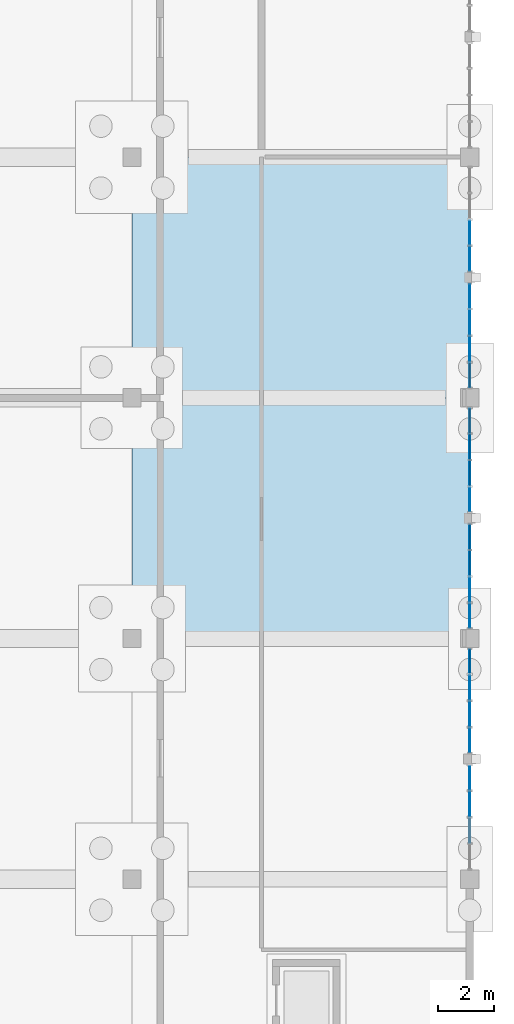
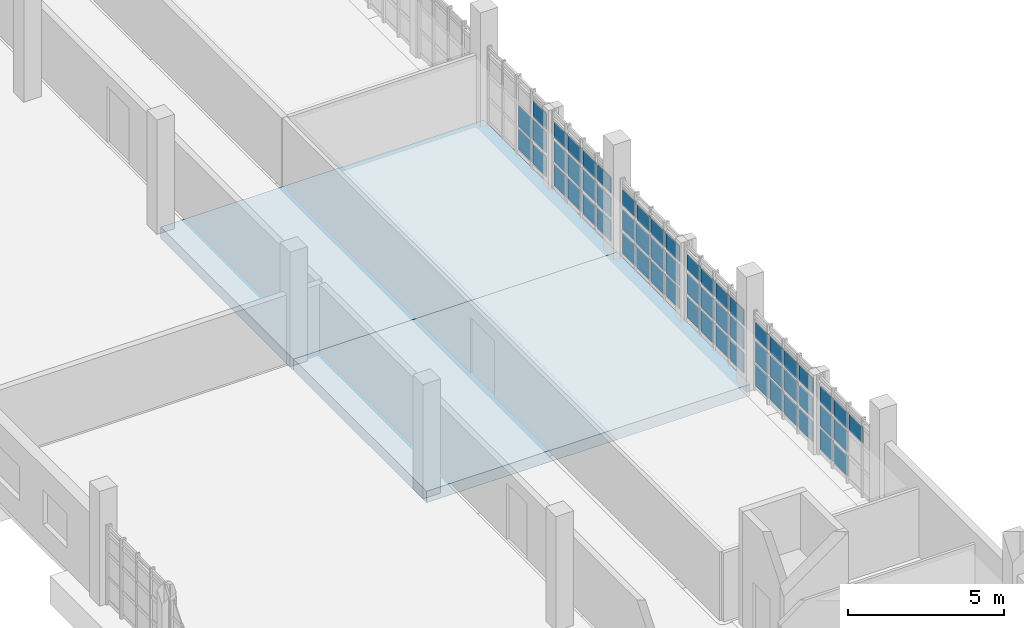
# One storey, part 92 of 125: 60 plates, 2 slabs, 6 elements without a shape of their own.
"""IFC4 building model written with IfcOpenShell, lengths in metres."""

from ifc_helpers import new_model, si_unit, direction, frame, origin, origin_2d, place, context, subcontext, project, spatial, polyline, rectangle, outline, extrude, material, layer, layer_set, type_object, element, aggregate, save


model = new_model("IFC4")

# Units and contexts
model_context = context("Model", 3, precision=1e-05, world=origin(), true_north=direction((0.0, 1.0)))
body_context = subcontext(model_context, "Body", "Model", "MODEL_VIEW")
ifc_project = project(units=[si_unit("LENGTHUNIT", "METRE"), si_unit("AREAUNIT", "SQUARE_METRE"), si_unit("VOLUMEUNIT", "CUBIC_METRE"), si_unit("PLANEANGLEUNIT", "RADIAN"), si_unit("MASSUNIT", "GRAM", prefix="KILO")], contexts=[model_context])

# Site, building, storey
site_placement = place(None, origin())
site = spatial("IfcSite", under=ifc_project, at=site_placement, CompositionType="ELEMENT")
building_placement = place(site_placement, origin())
building = spatial("IfcBuilding", under=site, at=building_placement, Name="Serraforn Aerial Cableway Station", CompositionType="ELEMENT")
storey_placement = place(building_placement, frame((0.0, 0.0, 4.5)))
storey = spatial("IfcBuildingStorey", under=building, at=storey_placement, Name="L01", CompositionType="ELEMENT", Elevation=4.5)

# Curtain wall, plate
ifc_material_1 = material(Name="Anodised bronze unitised curtain wall")
curtain_wall_type_1 = type_object("IfcCurtainWallType", Name="CW-SYS-8", PredefinedType="USERDEFINED", material=ifc_material_1)
curtain_wall_1_placement = place(storey_placement, origin())
curtain_wall_1 = element("IfcCurtainWall", 1, at=curtain_wall_1_placement, inside=storey, type_object=curtain_wall_type_1, Name="Unitised Curtain Wall CW-EG-L01-E3B", ObjectType="UNITISED CURTAIN WALL", PredefinedType="USERDEFINED")
ifc_material_2 = material(Name="Solar-control low-E double glazing", Category="glass")
ifc_layer_1 = layer(ifc_material_2, 0.02587890625)
ifc_layer_set_1 = layer_set([ifc_layer_1], Name="Solar-control low-E double glazing")
plate_type_1 = type_object("IfcPlateType", Name="CW-GLZ-1", PredefinedType="CURTAIN_PANEL", material=ifc_layer_set_1)
plate_1_placement = place(storey_placement, frame((168.0, 67.640380859375, 0.1904296875), z_axis=(0.0, 0.0, 1.0), x_axis=(1.0, 0.0, 0.0)))
plate_1 = element("IfcPlate", 2, at=plate_1_placement, type_object=plate_type_1, Name="Curtain Wall Panel CW-EG-L01-E3B-P1-1", PredefinedType="CURTAIN_PANEL", context=body_context, shape_type="SweptSolid", body=[
    extrude(rectangle(XDim=0.02587890625, YDim=0.8544921875, at=origin_2d()), origin(), (0.0, 0.0, 1.0), 0.797607421875),
])

# Curtain wall, plates
curtain_wall_type_2 = type_object("IfcCurtainWallType", Name="CW-SYS-13", PredefinedType="USERDEFINED", material=ifc_material_1)
curtain_wall_2_placement = place(storey_placement, origin())
curtain_wall_2 = element("IfcCurtainWall", 3, at=curtain_wall_2_placement, inside=storey, type_object=curtain_wall_type_2, Name="Unitised Curtain Wall CW-EG-L01-E5A", ObjectType="UNITISED CURTAIN WALL", PredefinedType="USERDEFINED")
plate_2_placement = place(storey_placement, frame((168.0, 81.5361328125, 2.0498046875), z_axis=(0.0, 0.0, 1.0), x_axis=(1.0, 0.0, 0.0)))
plate_2 = element("IfcPlate", 4, at=plate_2_placement, type_object=plate_type_1, Name="Curtain Wall Panel CW-EG-L01-E5A-P2-3", PredefinedType="CURTAIN_PANEL", context=body_context, shape_type="SweptSolid", body=[
    extrude(rectangle(XDim=0.02587890625, YDim=0.87939453125, at=origin_2d()), origin(), (0.0, 0.0, 1.0), 0.6376953125),
])
plate_3_placement = place(storey_placement, frame((168.0, 82.479248046875, 1.11376953125), z_axis=(0.0, 0.0, 1.0), x_axis=(1.0, 0.0, 0.0)))
plate_3 = element("IfcPlate", 5, at=plate_3_placement, type_object=plate_type_1, Name="Curtain Wall Panel CW-EG-L01-E5A-P3-2", PredefinedType="CURTAIN_PANEL", context=body_context, shape_type="SweptSolid", body=[
    extrude(rectangle(XDim=0.02587890625, YDim=0.87451171875, at=origin_2d()), origin(), (0.0, 0.0, 1.0), 0.824951171875),
])
plate_4_placement = place(storey_placement, frame((168.0, 83.414794921875, 0.177734375), z_axis=(0.0, 0.0, 1.0), x_axis=(1.0, 0.0, 0.0)))
plate_4 = element("IfcPlate", 6, at=plate_4_placement, type_object=plate_type_1, Name="Curtain Wall Panel CW-EG-L01-E5A-P4-1", PredefinedType="CURTAIN_PANEL", context=body_context, shape_type="SweptSolid", body=[
    extrude(rectangle(XDim=0.02587890625, YDim=0.8544921875, at=origin_2d()), origin(), (0.0, 0.0, 1.0), 0.824951171875),
])

curtain_wall_type_3 = type_object("IfcCurtainWallType", Name="CW-SYS-14", PredefinedType="USERDEFINED", material=ifc_material_1)
curtain_wall_3_placement = place(storey_placement, origin())
curtain_wall_3 = element("IfcCurtainWall", 7, at=curtain_wall_3_placement, inside=storey, type_object=curtain_wall_type_3, Name="Unitised Curtain Wall CW-EG-L01-E5B", ObjectType="UNITISED CURTAIN WALL", PredefinedType="USERDEFINED")
plate_5_placement = place(storey_placement, frame((168.0, 84.741455078125, 2.0498046875), z_axis=(0.0, 0.0, 1.0), x_axis=(1.0, 0.0, 0.0)))
plate_5 = element("IfcPlate", 8, at=plate_5_placement, type_object=plate_type_1, Name="Curtain Wall Panel CW-EG-L01-E5B-P1-3", PredefinedType="CURTAIN_PANEL", context=body_context, shape_type="SweptSolid", body=[
    extrude(rectangle(XDim=0.02587890625, YDim=0.846923828125, at=origin_2d()), origin(), (0.0, 0.0, 1.0), 0.6376953125),
])
plate_6_placement = place(storey_placement, frame((168.0, 85.668212890625, 1.11376953125), z_axis=(0.0, 0.0, 1.0), x_axis=(1.0, 0.0, 0.0)))
plate_6 = element("IfcPlate", 9, at=plate_6_placement, type_object=plate_type_1, Name="Curtain Wall Panel CW-EG-L01-E5B-P2-2", PredefinedType="CURTAIN_PANEL", context=body_context, shape_type="SweptSolid", body=[
    extrude(rectangle(XDim=0.02587890625, YDim=0.87451171875, at=origin_2d()), origin(), (0.0, 0.0, 1.0), 0.824951171875),
])

# Curtain wall, plate
curtain_wall_type_4 = type_object("IfcCurtainWallType", Name="CW-SYS-7", PredefinedType="USERDEFINED", material=ifc_material_1)
curtain_wall_4_placement = place(storey_placement, origin())
curtain_wall_4 = element("IfcCurtainWall", 10, at=curtain_wall_4_placement, inside=storey, type_object=curtain_wall_type_4, Name="Unitised Curtain Wall CW-EG-L01-E3A", ObjectType="UNITISED CURTAIN WALL", PredefinedType="USERDEFINED")
ifc_layer_2 = layer(ifc_material_2, 0.028076171875)
ifc_layer_set_2 = layer_set([ifc_layer_2], Name="Solar-control low-E double glazing")
plate_type_2 = type_object("IfcPlateType", Name="CW-GLZ-2", PredefinedType="CURTAIN_PANEL", material=ifc_layer_set_2)
plate_7_placement = place(storey_placement, frame((168.0, 65.379150390625, 0.19775390625), z_axis=(0.0, 0.0, 1.0), x_axis=(1.0, 0.0, 0.0)))
plate_7 = element("IfcPlate", 11, at=plate_7_placement, type_object=plate_type_2, Name="Curtain Wall Panel CW-EG-L01-E3A-P3-1", PredefinedType="CURTAIN_PANEL", context=body_context, shape_type="SweptSolid", body=[
    extrude(rectangle(XDim=0.028076171875, YDim=0.87939453125, at=origin_2d()), origin(), (0.0, 0.0, 1.0), 0.782470703125),
])

# Plate
plate_8_placement = place(storey_placement, frame((168.0, 67.640380859375, 1.1337890625), z_axis=(0.0, 0.0, 1.0), x_axis=(1.0, 0.0, 0.0)))
plate_8 = element("IfcPlate", 12, at=plate_8_placement, type_object=plate_type_2, Name="Curtain Wall Panel CW-EG-L01-E3B-P1-2", PredefinedType="CURTAIN_PANEL", context=body_context, shape_type="SweptSolid", body=[
    extrude(rectangle(XDim=0.028076171875, YDim=0.8544921875, at=origin_2d()), origin(), (0.0, 0.0, 1.0), 0.782470703125),
])

plate_9_placement = place(storey_placement, frame((168.0, 68.568359375, 0.19775390625), z_axis=(0.0, 0.0, 1.0), x_axis=(1.0, 0.0, 0.0)))
plate_9 = element("IfcPlate", 13, at=plate_9_placement, type_object=plate_type_2, Name="Curtain Wall Panel CW-EG-L01-E3B-P2-1", PredefinedType="CURTAIN_PANEL", context=body_context, shape_type="SweptSolid", body=[
    extrude(rectangle(XDim=0.028076171875, YDim=0.87939453125, at=origin_2d()), origin(), (0.0, 0.0, 1.0), 0.782470703125),
])

# Curtain wall, plate
curtain_wall_type_5 = type_object("IfcCurtainWallType", Name="CW-SYS-9", PredefinedType="USERDEFINED", material=ifc_material_1)
curtain_wall_5_placement = place(storey_placement, origin())
curtain_wall_5 = element("IfcCurtainWall", 14, at=curtain_wall_5_placement, inside=storey, type_object=curtain_wall_type_5, Name="Unitised Curtain Wall CW-EG-L01-E4A", ObjectType="UNITISED CURTAIN WALL", PredefinedType="USERDEFINED")
plate_10_placement = place(storey_placement, frame((168.0, 72.0595703125, 0.19775390625), z_axis=(0.0, 0.0, 1.0), x_axis=(1.0, 0.0, 0.0)))
plate_10 = element("IfcPlate", 15, at=plate_10_placement, type_object=plate_type_2, Name="Curtain Wall Panel CW-EG-L01-E4A-P1-1", PredefinedType="CURTAIN_PANEL", context=body_context, shape_type="SweptSolid", body=[
    extrude(rectangle(XDim=0.028076171875, YDim=0.846923828125, at=origin_2d()), origin(), (0.0, 0.0, 1.0), 0.782470703125),
])

# Plate
plate_11_placement = place(storey_placement, frame((168.0, 82.479248046875, 2.0546875), z_axis=(0.0, 0.0, 1.0), x_axis=(1.0, 0.0, 0.0)))
plate_11 = element("IfcPlate", 16, at=plate_11_placement, type_object=plate_type_2, Name="Curtain Wall Panel CW-EG-L01-E5A-P3-3", PredefinedType="CURTAIN_PANEL", context=body_context, shape_type="SweptSolid", body=[
    extrude(rectangle(XDim=0.028076171875, YDim=0.87451171875, at=origin_2d()), origin(), (0.0, 0.0, 1.0), 0.625244140625),
])

plate_12_placement = place(storey_placement, frame((168.0, 83.414794921875, 1.118896484375), z_axis=(0.0, 0.0, 1.0), x_axis=(1.0, 0.0, 0.0)))
plate_12 = element("IfcPlate", 17, at=plate_12_placement, type_object=plate_type_2, Name="Curtain Wall Panel CW-EG-L01-E5A-P4-2", PredefinedType="CURTAIN_PANEL", context=body_context, shape_type="SweptSolid", body=[
    extrude(rectangle(XDim=0.028076171875, YDim=0.8544921875, at=origin_2d()), origin(), (0.0, 0.0, 1.0), 0.8125),
])

ifc_layer_3 = layer(ifc_material_2, 0.030029296875)
ifc_layer_set_3 = layer_set([ifc_layer_3], Name="Solar-control low-E double glazing")
plate_type_3 = type_object("IfcPlateType", Name="CW-GLZ-3", PredefinedType="CURTAIN_PANEL", material=ifc_layer_set_3)
plate_13_placement = place(storey_placement, frame((168.0, 64.436279296875, 2.077392578125), z_axis=(0.0, 0.0, 1.0), x_axis=(1.0, 0.0, 0.0)))
plate_13 = element("IfcPlate", 18, at=plate_13_placement, type_object=plate_type_3, Name="Curtain Wall Panel CW-EG-L01-E3A-P2-3", PredefinedType="CURTAIN_PANEL", context=body_context, shape_type="SweptSolid", body=[
    extrude(rectangle(XDim=0.030029296875, YDim=0.884521484375, at=origin_2d()), origin(), (0.0, 0.0, 1.0), 0.615234375),
])

plate_14_placement = place(storey_placement, frame((168.0, 65.379150390625, 1.14111328125), z_axis=(0.0, 0.0, 1.0), x_axis=(1.0, 0.0, 0.0)))
plate_14 = element("IfcPlate", 19, at=plate_14_placement, type_object=plate_type_3, Name="Curtain Wall Panel CW-EG-L01-E3A-P3-2", PredefinedType="CURTAIN_PANEL", context=body_context, shape_type="SweptSolid", body=[
    extrude(rectangle(XDim=0.030029296875, YDim=0.87939453125, at=origin_2d()), origin(), (0.0, 0.0, 1.0), 0.802490234375),
])

plate_15_placement = place(storey_placement, frame((168.0, 66.303466796875, 0.20556640625), z_axis=(0.0, 0.0, 1.0), x_axis=(1.0, 0.0, 0.0)))
plate_15 = element("IfcPlate", 20, at=plate_15_placement, type_object=plate_type_3, Name="Curtain Wall Panel CW-EG-L01-E3A-P4-1", PredefinedType="CURTAIN_PANEL", context=body_context, shape_type="SweptSolid", body=[
    extrude(rectangle(XDim=0.030029296875, YDim=0.8369140625, at=origin_2d()), origin(), (0.0, 0.0, 1.0), 0.802490234375),
])

plate_16_placement = place(storey_placement, frame((168.0, 67.640380859375, 2.077392578125), z_axis=(0.0, 0.0, 1.0), x_axis=(1.0, 0.0, 0.0)))
plate_16 = element("IfcPlate", 21, at=plate_16_placement, type_object=plate_type_3, Name="Curtain Wall Panel CW-EG-L01-E3B-P1-3", PredefinedType="CURTAIN_PANEL", context=body_context, shape_type="SweptSolid", body=[
    extrude(rectangle(XDim=0.030029296875, YDim=0.8544921875, at=origin_2d()), origin(), (0.0, 0.0, 1.0), 0.615234375),
])

plate_17_placement = place(storey_placement, frame((168.0, 68.568359375, 1.14111328125), z_axis=(0.0, 0.0, 1.0), x_axis=(1.0, 0.0, 0.0)))
plate_17 = element("IfcPlate", 22, at=plate_17_placement, type_object=plate_type_3, Name="Curtain Wall Panel CW-EG-L01-E3B-P2-2", PredefinedType="CURTAIN_PANEL", context=body_context, shape_type="SweptSolid", body=[
    extrude(rectangle(XDim=0.030029296875, YDim=0.87939453125, at=origin_2d()), origin(), (0.0, 0.0, 1.0), 0.802490234375),
])

plate_18_placement = place(storey_placement, frame((168.0, 69.51123046875, 0.20556640625), z_axis=(0.0, 0.0, 1.0), x_axis=(1.0, 0.0, 0.0)))
plate_18 = element("IfcPlate", 23, at=plate_18_placement, type_object=plate_type_3, Name="Curtain Wall Panel CW-EG-L01-E3B-P3-1", PredefinedType="CURTAIN_PANEL", context=body_context, shape_type="SweptSolid", body=[
    extrude(rectangle(XDim=0.030029296875, YDim=0.87451171875, at=origin_2d()), origin(), (0.0, 0.0, 1.0), 0.802490234375),
])

plate_19_placement = place(storey_placement, frame((168.0, 72.0595703125, 1.14111328125), z_axis=(0.0, 0.0, 1.0), x_axis=(1.0, 0.0, 0.0)))
plate_19 = element("IfcPlate", 24, at=plate_19_placement, type_object=plate_type_3, Name="Curtain Wall Panel CW-EG-L01-E4A-P1-2", PredefinedType="CURTAIN_PANEL", context=body_context, shape_type="SweptSolid", body=[
    extrude(rectangle(XDim=0.030029296875, YDim=0.846923828125, at=origin_2d()), origin(), (0.0, 0.0, 1.0), 0.802490234375),
])

plate_20_placement = place(storey_placement, frame((168.0, 72.986083984375, 0.20556640625), z_axis=(0.0, 0.0, 1.0), x_axis=(1.0, 0.0, 0.0)))
plate_20 = element("IfcPlate", 25, at=plate_20_placement, type_object=plate_type_3, Name="Curtain Wall Panel CW-EG-L01-E4A-P2-1", PredefinedType="CURTAIN_PANEL", context=body_context, shape_type="SweptSolid", body=[
    extrude(rectangle(XDim=0.030029296875, YDim=0.87451171875, at=origin_2d()), origin(), (0.0, 0.0, 1.0), 0.802490234375),
])

# Curtain wall, plate
curtain_wall_type_6 = type_object("IfcCurtainWallType", Name="CW-SYS-10", PredefinedType="USERDEFINED", material=ifc_material_1)
curtain_wall_6_placement = place(storey_placement, origin())
curtain_wall_6 = element("IfcCurtainWall", 26, at=curtain_wall_6_placement, inside=storey, type_object=curtain_wall_type_6, Name="Unitised Curtain Wall CW-EG-L01-E4B", ObjectType="UNITISED CURTAIN WALL", PredefinedType="USERDEFINED")
plate_21_placement = place(storey_placement, frame((168.0, 76.19287109375, 0.20556640625), z_axis=(0.0, 0.0, 1.0), x_axis=(1.0, 0.0, 0.0)))
plate_21 = element("IfcPlate", 27, at=plate_21_placement, type_object=plate_type_3, Name="Curtain Wall Panel CW-EG-L01-E4B-P1-1", PredefinedType="CURTAIN_PANEL", context=body_context, shape_type="SweptSolid", body=[
    extrude(rectangle(XDim=0.030029296875, YDim=0.839599609375, at=origin_2d()), origin(), (0.0, 0.0, 1.0), 0.802490234375),
])

# Plate
plate_22_placement = place(storey_placement, frame((168.0, 83.414794921875, 2.062255859375), z_axis=(0.0, 0.0, 1.0), x_axis=(1.0, 0.0, 0.0)))
plate_22 = element("IfcPlate", 28, at=plate_22_placement, type_object=plate_type_3, Name="Curtain Wall Panel CW-EG-L01-E5A-P4-3", PredefinedType="CURTAIN_PANEL", context=body_context, shape_type="SweptSolid", body=[
    extrude(rectangle(XDim=0.030029296875, YDim=0.8544921875, at=origin_2d()), origin(), (0.0, 0.0, 1.0), 0.6103515625),
])

ifc_layer_4 = layer(ifc_material_2, 0.031982421875)
ifc_layer_set_4 = layer_set([ifc_layer_4], Name="Solar-control low-E double glazing")
plate_type_4 = type_object("IfcPlateType", Name="CW-GLZ-4", PredefinedType="CURTAIN_PANEL", material=ifc_layer_set_4)
plate_23_placement = place(storey_placement, frame((168.0, 65.379150390625, 2.0498046875), z_axis=(0.0, 0.0, 1.0), x_axis=(1.0, 0.0, 0.0)))
plate_23 = element("IfcPlate", 29, at=plate_23_placement, type_object=plate_type_4, Name="Curtain Wall Panel CW-EG-L01-E3A-P3-3", PredefinedType="CURTAIN_PANEL", context=body_context, shape_type="SweptSolid", body=[
    extrude(rectangle(XDim=0.031982421875, YDim=0.87939453125, at=origin_2d()), origin(), (0.0, 0.0, 1.0), 0.6376953125),
])

plate_24_placement = place(storey_placement, frame((168.0, 66.303466796875, 1.11376953125), z_axis=(0.0, 0.0, 1.0), x_axis=(1.0, 0.0, 0.0)))
plate_24 = element("IfcPlate", 30, at=plate_24_placement, type_object=plate_type_4, Name="Curtain Wall Panel CW-EG-L01-E3A-P4-2", PredefinedType="CURTAIN_PANEL", context=body_context, shape_type="SweptSolid", body=[
    extrude(rectangle(XDim=0.031982421875, YDim=0.8369140625, at=origin_2d()), origin(), (0.0, 0.0, 1.0), 0.824951171875),
])

plate_25_placement = place(storey_placement, frame((168.0, 68.568359375, 2.0498046875), z_axis=(0.0, 0.0, 1.0), x_axis=(1.0, 0.0, 0.0)))
plate_25 = element("IfcPlate", 31, at=plate_25_placement, type_object=plate_type_4, Name="Curtain Wall Panel CW-EG-L01-E3B-P2-3", PredefinedType="CURTAIN_PANEL", context=body_context, shape_type="SweptSolid", body=[
    extrude(rectangle(XDim=0.031982421875, YDim=0.87939453125, at=origin_2d()), origin(), (0.0, 0.0, 1.0), 0.6376953125),
])

plate_26_placement = place(storey_placement, frame((168.0, 69.51123046875, 1.11376953125), z_axis=(0.0, 0.0, 1.0), x_axis=(1.0, 0.0, 0.0)))
plate_26 = element("IfcPlate", 32, at=plate_26_placement, type_object=plate_type_4, Name="Curtain Wall Panel CW-EG-L01-E3B-P3-2", PredefinedType="CURTAIN_PANEL", context=body_context, shape_type="SweptSolid", body=[
    extrude(rectangle(XDim=0.031982421875, YDim=0.87451171875, at=origin_2d()), origin(), (0.0, 0.0, 1.0), 0.824951171875),
])

plate_27_placement = place(storey_placement, frame((168.0, 70.44677734375, 0.177734375), z_axis=(0.0, 0.0, 1.0), x_axis=(1.0, 0.0, 0.0)))
plate_27 = element("IfcPlate", 33, at=plate_27_placement, type_object=plate_type_4, Name="Curtain Wall Panel CW-EG-L01-E3B-P4-1", PredefinedType="CURTAIN_PANEL", context=body_context, shape_type="SweptSolid", body=[
    extrude(rectangle(XDim=0.031982421875, YDim=0.8544921875, at=origin_2d()), origin(), (0.0, 0.0, 1.0), 0.824951171875),
])

plate_28_placement = place(storey_placement, frame((168.0, 72.0595703125, 2.0498046875), z_axis=(0.0, 0.0, 1.0), x_axis=(1.0, 0.0, 0.0)))
plate_28 = element("IfcPlate", 34, at=plate_28_placement, type_object=plate_type_4, Name="Curtain Wall Panel CW-EG-L01-E4A-P1-3", PredefinedType="CURTAIN_PANEL", context=body_context, shape_type="SweptSolid", body=[
    extrude(rectangle(XDim=0.031982421875, YDim=0.846923828125, at=origin_2d()), origin(), (0.0, 0.0, 1.0), 0.6376953125),
])

plate_29_placement = place(storey_placement, frame((168.0, 72.986083984375, 1.11376953125), z_axis=(0.0, 0.0, 1.0), x_axis=(1.0, 0.0, 0.0)))
plate_29 = element("IfcPlate", 35, at=plate_29_placement, type_object=plate_type_4, Name="Curtain Wall Panel CW-EG-L01-E4A-P2-2", PredefinedType="CURTAIN_PANEL", context=body_context, shape_type="SweptSolid", body=[
    extrude(rectangle(XDim=0.031982421875, YDim=0.87451171875, at=origin_2d()), origin(), (0.0, 0.0, 1.0), 0.824951171875),
])

plate_30_placement = place(storey_placement, frame((168.0, 73.935546875, 0.177734375), z_axis=(0.0, 0.0, 1.0), x_axis=(1.0, 0.0, 0.0)))
plate_30 = element("IfcPlate", 36, at=plate_30_placement, type_object=plate_type_4, Name="Curtain Wall Panel CW-EG-L01-E4A-P3-1", PredefinedType="CURTAIN_PANEL", context=body_context, shape_type="SweptSolid", body=[
    extrude(rectangle(XDim=0.031982421875, YDim=0.882080078125, at=origin_2d()), origin(), (0.0, 0.0, 1.0), 0.824951171875),
])

plate_31_placement = place(storey_placement, frame((168.0, 76.19287109375, 1.11376953125), z_axis=(0.0, 0.0, 1.0), x_axis=(1.0, 0.0, 0.0)))
plate_31 = element("IfcPlate", 37, at=plate_31_placement, type_object=plate_type_4, Name="Curtain Wall Panel CW-EG-L01-E4B-P1-2", PredefinedType="CURTAIN_PANEL", context=body_context, shape_type="SweptSolid", body=[
    extrude(rectangle(XDim=0.031982421875, YDim=0.839599609375, at=origin_2d()), origin(), (0.0, 0.0, 1.0), 0.824951171875),
])

plate_32_placement = place(storey_placement, frame((168.0, 77.12451171875, 0.177734375), z_axis=(0.0, 0.0, 1.0), x_axis=(1.0, 0.0, 0.0)))
plate_32 = element("IfcPlate", 38, at=plate_32_placement, type_object=plate_type_4, Name="Curtain Wall Panel CW-EG-L01-E4B-P2-1", PredefinedType="CURTAIN_PANEL", context=body_context, shape_type="SweptSolid", body=[
    extrude(rectangle(XDim=0.031982421875, YDim=0.882080078125, at=origin_2d()), origin(), (0.0, 0.0, 1.0), 0.824951171875),
])

ifc_layer_5 = layer(ifc_material_2, 0.033935546875)
ifc_layer_set_5 = layer_set([ifc_layer_5], Name="Solar-control low-E double glazing")
plate_type_5 = type_object("IfcPlateType", Name="CW-GLZ-5", PredefinedType="CURTAIN_PANEL", material=ifc_layer_set_5)
plate_33_placement = place(storey_placement, frame((168.0, 66.303466796875, 2.0546875), z_axis=(0.0, 0.0, 1.0), x_axis=(1.0, 0.0, 0.0)))
plate_33 = element("IfcPlate", 39, at=plate_33_placement, type_object=plate_type_5, Name="Curtain Wall Panel CW-EG-L01-E3A-P4-3", PredefinedType="CURTAIN_PANEL", context=body_context, shape_type="SweptSolid", body=[
    extrude(rectangle(XDim=0.033935546875, YDim=0.8369140625, at=origin_2d()), origin(), (0.0, 0.0, 1.0), 0.625244140625),
])

aggregate(curtain_wall_4, [plate_13, plate_7, plate_14, plate_23, plate_15, plate_24, plate_33])

plate_34_placement = place(storey_placement, frame((168.0, 69.51123046875, 2.0546875), z_axis=(0.0, 0.0, 1.0), x_axis=(1.0, 0.0, 0.0)))
plate_34 = element("IfcPlate", 40, at=plate_34_placement, type_object=plate_type_5, Name="Curtain Wall Panel CW-EG-L01-E3B-P3-3", PredefinedType="CURTAIN_PANEL", context=body_context, shape_type="SweptSolid", body=[
    extrude(rectangle(XDim=0.033935546875, YDim=0.87451171875, at=origin_2d()), origin(), (0.0, 0.0, 1.0), 0.625244140625),
])

plate_35_placement = place(storey_placement, frame((168.0, 70.44677734375, 1.118896484375), z_axis=(0.0, 0.0, 1.0), x_axis=(1.0, 0.0, 0.0)))
plate_35 = element("IfcPlate", 41, at=plate_35_placement, type_object=plate_type_5, Name="Curtain Wall Panel CW-EG-L01-E3B-P4-2", PredefinedType="CURTAIN_PANEL", context=body_context, shape_type="SweptSolid", body=[
    extrude(rectangle(XDim=0.033935546875, YDim=0.8544921875, at=origin_2d()), origin(), (0.0, 0.0, 1.0), 0.8125),
])

plate_36_placement = place(storey_placement, frame((168.0, 72.986083984375, 2.0546875), z_axis=(0.0, 0.0, 1.0), x_axis=(1.0, 0.0, 0.0)))
plate_36 = element("IfcPlate", 42, at=plate_36_placement, type_object=plate_type_5, Name="Curtain Wall Panel CW-EG-L01-E4A-P2-3", PredefinedType="CURTAIN_PANEL", context=body_context, shape_type="SweptSolid", body=[
    extrude(rectangle(XDim=0.033935546875, YDim=0.87451171875, at=origin_2d()), origin(), (0.0, 0.0, 1.0), 0.625244140625),
])

plate_37_placement = place(storey_placement, frame((168.0, 73.935546875, 1.118896484375), z_axis=(0.0, 0.0, 1.0), x_axis=(1.0, 0.0, 0.0)))
plate_37 = element("IfcPlate", 43, at=plate_37_placement, type_object=plate_type_5, Name="Curtain Wall Panel CW-EG-L01-E4A-P3-2", PredefinedType="CURTAIN_PANEL", context=body_context, shape_type="SweptSolid", body=[
    extrude(rectangle(XDim=0.033935546875, YDim=0.882080078125, at=origin_2d()), origin(), (0.0, 0.0, 1.0), 0.8125),
])

plate_38_placement = place(storey_placement, frame((168.0, 74.857177734375, 0.182861328125), z_axis=(0.0, 0.0, 1.0), x_axis=(1.0, 0.0, 0.0)))
plate_38 = element("IfcPlate", 44, at=plate_38_placement, type_object=plate_type_5, Name="Curtain Wall Panel CW-EG-L01-E4A-P4-1", PredefinedType="CURTAIN_PANEL", context=body_context, shape_type="SweptSolid", body=[
    extrude(rectangle(XDim=0.033935546875, YDim=0.859619140625, at=origin_2d()), origin(), (0.0, 0.0, 1.0), 0.8125),
])

plate_39_placement = place(storey_placement, frame((168.0, 76.19287109375, 2.0546875), z_axis=(0.0, 0.0, 1.0), x_axis=(1.0, 0.0, 0.0)))
plate_39 = element("IfcPlate", 45, at=plate_39_placement, type_object=plate_type_5, Name="Curtain Wall Panel CW-EG-L01-E4B-P1-3", PredefinedType="CURTAIN_PANEL", context=body_context, shape_type="SweptSolid", body=[
    extrude(rectangle(XDim=0.033935546875, YDim=0.839599609375, at=origin_2d()), origin(), (0.0, 0.0, 1.0), 0.625244140625),
])

plate_40_placement = place(storey_placement, frame((168.0, 77.12451171875, 1.118896484375), z_axis=(0.0, 0.0, 1.0), x_axis=(1.0, 0.0, 0.0)))
plate_40 = element("IfcPlate", 46, at=plate_40_placement, type_object=plate_type_5, Name="Curtain Wall Panel CW-EG-L01-E4B-P2-2", PredefinedType="CURTAIN_PANEL", context=body_context, shape_type="SweptSolid", body=[
    extrude(rectangle(XDim=0.033935546875, YDim=0.882080078125, at=origin_2d()), origin(), (0.0, 0.0, 1.0), 0.8125),
])

plate_41_placement = place(storey_placement, frame((168.0, 78.061279296875, 0.182861328125), z_axis=(0.0, 0.0, 1.0), x_axis=(1.0, 0.0, 0.0)))
plate_41 = element("IfcPlate", 47, at=plate_41_placement, type_object=plate_type_5, Name="Curtain Wall Panel CW-EG-L01-E4B-P3-1", PredefinedType="CURTAIN_PANEL", context=body_context, shape_type="SweptSolid", body=[
    extrude(rectangle(XDim=0.033935546875, YDim=0.889404296875, at=origin_2d()), origin(), (0.0, 0.0, 1.0), 0.8125),
])

ifc_layer_6 = layer(ifc_material_2, 0.035888671875)
ifc_layer_set_6 = layer_set([ifc_layer_6], Name="Solar-control low-E double glazing")
plate_type_6 = type_object("IfcPlateType", Name="CW-GLZ-6", PredefinedType="CURTAIN_PANEL", material=ifc_layer_set_6)
plate_42_placement = place(storey_placement, frame((168.0, 70.44677734375, 2.062255859375), z_axis=(0.0, 0.0, 1.0), x_axis=(1.0, 0.0, 0.0)))
plate_42 = element("IfcPlate", 48, at=plate_42_placement, type_object=plate_type_6, Name="Curtain Wall Panel CW-EG-L01-E3B-P4-3", PredefinedType="CURTAIN_PANEL", context=body_context, shape_type="SweptSolid", body=[
    extrude(rectangle(XDim=0.035888671875, YDim=0.8544921875, at=origin_2d()), origin(), (0.0, 0.0, 1.0), 0.6103515625),
])

aggregate(curtain_wall_1, [plate_1, plate_8, plate_16, plate_9, plate_17, plate_25, plate_18, plate_26, plate_34, plate_27, plate_35, plate_42])

plate_43_placement = place(storey_placement, frame((168.0, 73.935546875, 2.062255859375), z_axis=(0.0, 0.0, 1.0), x_axis=(1.0, 0.0, 0.0)))
plate_43 = element("IfcPlate", 49, at=plate_43_placement, type_object=plate_type_6, Name="Curtain Wall Panel CW-EG-L01-E4A-P3-3", PredefinedType="CURTAIN_PANEL", context=body_context, shape_type="SweptSolid", body=[
    extrude(rectangle(XDim=0.035888671875, YDim=0.882080078125, at=origin_2d()), origin(), (0.0, 0.0, 1.0), 0.6103515625),
])

plate_44_placement = place(storey_placement, frame((168.0, 74.857177734375, 1.12646484375), z_axis=(0.0, 0.0, 1.0), x_axis=(1.0, 0.0, 0.0)))
plate_44 = element("IfcPlate", 50, at=plate_44_placement, type_object=plate_type_6, Name="Curtain Wall Panel CW-EG-L01-E4A-P4-2", PredefinedType="CURTAIN_PANEL", context=body_context, shape_type="SweptSolid", body=[
    extrude(rectangle(XDim=0.035888671875, YDim=0.859619140625, at=origin_2d()), origin(), (0.0, 0.0, 1.0), 0.797607421875),
])

plate_45_placement = place(storey_placement, frame((168.0, 77.12451171875, 2.062255859375), z_axis=(0.0, 0.0, 1.0), x_axis=(1.0, 0.0, 0.0)))
plate_45 = element("IfcPlate", 51, at=plate_45_placement, type_object=plate_type_6, Name="Curtain Wall Panel CW-EG-L01-E4B-P2-3", PredefinedType="CURTAIN_PANEL", context=body_context, shape_type="SweptSolid", body=[
    extrude(rectangle(XDim=0.035888671875, YDim=0.882080078125, at=origin_2d()), origin(), (0.0, 0.0, 1.0), 0.6103515625),
])

plate_46_placement = place(storey_placement, frame((168.0, 78.061279296875, 1.12646484375), z_axis=(0.0, 0.0, 1.0), x_axis=(1.0, 0.0, 0.0)))
plate_46 = element("IfcPlate", 52, at=plate_46_placement, type_object=plate_type_6, Name="Curtain Wall Panel CW-EG-L01-E4B-P3-2", PredefinedType="CURTAIN_PANEL", context=body_context, shape_type="SweptSolid", body=[
    extrude(rectangle(XDim=0.035888671875, YDim=0.889404296875, at=origin_2d()), origin(), (0.0, 0.0, 1.0), 0.797607421875),
])

plate_47_placement = place(storey_placement, frame((168.0, 78.988037109375, 0.1904296875), z_axis=(0.0, 0.0, 1.0), x_axis=(1.0, 0.0, 0.0)))
plate_47 = element("IfcPlate", 53, at=plate_47_placement, type_object=plate_type_6, Name="Curtain Wall Panel CW-EG-L01-E4B-P4-1", PredefinedType="CURTAIN_PANEL", context=body_context, shape_type="SweptSolid", body=[
    extrude(rectangle(XDim=0.035888671875, YDim=0.85205078125, at=origin_2d()), origin(), (0.0, 0.0, 1.0), 0.797607421875),
])

plate_48_placement = place(storey_placement, frame((168.0, 80.608154296875, 0.1904296875), z_axis=(0.0, 0.0, 1.0), x_axis=(1.0, 0.0, 0.0)))
plate_48 = element("IfcPlate", 54, at=plate_48_placement, type_object=plate_type_6, Name="Curtain Wall Panel CW-EG-L01-E5A-P1-1", PredefinedType="CURTAIN_PANEL", context=body_context, shape_type="SweptSolid", body=[
    extrude(rectangle(XDim=0.035888671875, YDim=0.8544921875, at=origin_2d()), origin(), (0.0, 0.0, 1.0), 0.797607421875),
])

ifc_layer_7 = layer(ifc_material_2, 0.029052734375)
ifc_layer_set_7 = layer_set([ifc_layer_7], Name="Solar-control low-E double glazing")
plate_type_7 = type_object("IfcPlateType", Name="CW-GLZ-7", PredefinedType="CURTAIN_PANEL", material=ifc_layer_set_7)
plate_49_placement = place(storey_placement, frame((168.0, 74.857177734375, 2.06982421875), z_axis=(0.0, 0.0, 1.0), x_axis=(1.0, 0.0, 0.0)))
plate_49 = element("IfcPlate", 55, at=plate_49_placement, type_object=plate_type_7, Name="Curtain Wall Panel CW-EG-L01-E4A-P4-3", PredefinedType="CURTAIN_PANEL", context=body_context, shape_type="SweptSolid", body=[
    extrude(rectangle(XDim=0.029052734375, YDim=0.859619140625, at=origin_2d()), origin(), (0.0, 0.0, 1.0), 0.59521484375),
])

aggregate(curtain_wall_5, [plate_10, plate_19, plate_28, plate_20, plate_29, plate_36, plate_30, plate_37, plate_43, plate_38, plate_44, plate_49])

plate_50_placement = place(storey_placement, frame((168.0, 78.061279296875, 2.06982421875), z_axis=(0.0, 0.0, 1.0), x_axis=(1.0, 0.0, 0.0)))
plate_50 = element("IfcPlate", 56, at=plate_50_placement, type_object=plate_type_7, Name="Curtain Wall Panel CW-EG-L01-E4B-P3-3", PredefinedType="CURTAIN_PANEL", context=body_context, shape_type="SweptSolid", body=[
    extrude(rectangle(XDim=0.029052734375, YDim=0.889404296875, at=origin_2d()), origin(), (0.0, 0.0, 1.0), 0.59521484375),
])

plate_51_placement = place(storey_placement, frame((168.0, 78.988037109375, 1.1337890625), z_axis=(0.0, 0.0, 1.0), x_axis=(1.0, 0.0, 0.0)))
plate_51 = element("IfcPlate", 57, at=plate_51_placement, type_object=plate_type_7, Name="Curtain Wall Panel CW-EG-L01-E4B-P4-2", PredefinedType="CURTAIN_PANEL", context=body_context, shape_type="SweptSolid", body=[
    extrude(rectangle(XDim=0.029052734375, YDim=0.85205078125, at=origin_2d()), origin(), (0.0, 0.0, 1.0), 0.782470703125),
])

plate_52_placement = place(storey_placement, frame((168.0, 80.608154296875, 1.1337890625), z_axis=(0.0, 0.0, 1.0), x_axis=(1.0, 0.0, 0.0)))
plate_52 = element("IfcPlate", 58, at=plate_52_placement, type_object=plate_type_7, Name="Curtain Wall Panel CW-EG-L01-E5A-P1-2", PredefinedType="CURTAIN_PANEL", context=body_context, shape_type="SweptSolid", body=[
    extrude(rectangle(XDim=0.029052734375, YDim=0.8544921875, at=origin_2d()), origin(), (0.0, 0.0, 1.0), 0.782470703125),
])

plate_53_placement = place(storey_placement, frame((168.0, 81.5361328125, 0.19775390625), z_axis=(0.0, 0.0, 1.0), x_axis=(1.0, 0.0, 0.0)))
plate_53 = element("IfcPlate", 59, at=plate_53_placement, type_object=plate_type_7, Name="Curtain Wall Panel CW-EG-L01-E5A-P2-1", PredefinedType="CURTAIN_PANEL", context=body_context, shape_type="SweptSolid", body=[
    extrude(rectangle(XDim=0.029052734375, YDim=0.87939453125, at=origin_2d()), origin(), (0.0, 0.0, 1.0), 0.782470703125),
])

plate_54_placement = place(storey_placement, frame((168.0, 84.741455078125, 0.19775390625), z_axis=(0.0, 0.0, 1.0), x_axis=(1.0, 0.0, 0.0)))
plate_54 = element("IfcPlate", 60, at=plate_54_placement, type_object=plate_type_7, Name="Curtain Wall Panel CW-EG-L01-E5B-P1-1", PredefinedType="CURTAIN_PANEL", context=body_context, shape_type="SweptSolid", body=[
    extrude(rectangle(XDim=0.029052734375, YDim=0.846923828125, at=origin_2d()), origin(), (0.0, 0.0, 1.0), 0.782470703125),
])

ifc_layer_8 = layer(ifc_material_2, 0.031005859375)
ifc_layer_set_8 = layer_set([ifc_layer_8], Name="Solar-control low-E double glazing")
plate_type_8 = type_object("IfcPlateType", Name="CW-GLZ-8", PredefinedType="CURTAIN_PANEL", material=ifc_layer_set_8)
plate_55_placement = place(storey_placement, frame((168.0, 78.988037109375, 2.077392578125), z_axis=(0.0, 0.0, 1.0), x_axis=(1.0, 0.0, 0.0)))
plate_55 = element("IfcPlate", 61, at=plate_55_placement, type_object=plate_type_8, Name="Curtain Wall Panel CW-EG-L01-E4B-P4-3", PredefinedType="CURTAIN_PANEL", context=body_context, shape_type="SweptSolid", body=[
    extrude(rectangle(XDim=0.031005859375, YDim=0.85205078125, at=origin_2d()), origin(), (0.0, 0.0, 1.0), 0.615234375),
])

aggregate(curtain_wall_6, [plate_21, plate_31, plate_39, plate_32, plate_40, plate_45, plate_41, plate_46, plate_50, plate_47, plate_51, plate_55])

plate_56_placement = place(storey_placement, frame((168.0, 80.608154296875, 2.077392578125), z_axis=(0.0, 0.0, 1.0), x_axis=(1.0, 0.0, 0.0)))
plate_56 = element("IfcPlate", 62, at=plate_56_placement, type_object=plate_type_8, Name="Curtain Wall Panel CW-EG-L01-E5A-P1-3", PredefinedType="CURTAIN_PANEL", context=body_context, shape_type="SweptSolid", body=[
    extrude(rectangle(XDim=0.031005859375, YDim=0.8544921875, at=origin_2d()), origin(), (0.0, 0.0, 1.0), 0.615234375),
])

plate_57_placement = place(storey_placement, frame((168.0, 81.5361328125, 1.14111328125), z_axis=(0.0, 0.0, 1.0), x_axis=(1.0, 0.0, 0.0)))
plate_57 = element("IfcPlate", 63, at=plate_57_placement, type_object=plate_type_8, Name="Curtain Wall Panel CW-EG-L01-E5A-P2-2", PredefinedType="CURTAIN_PANEL", context=body_context, shape_type="SweptSolid", body=[
    extrude(rectangle(XDim=0.031005859375, YDim=0.87939453125, at=origin_2d()), origin(), (0.0, 0.0, 1.0), 0.802490234375),
])

plate_58_placement = place(storey_placement, frame((168.0, 82.479248046875, 0.20556640625), z_axis=(0.0, 0.0, 1.0), x_axis=(1.0, 0.0, 0.0)))
plate_58 = element("IfcPlate", 64, at=plate_58_placement, type_object=plate_type_8, Name="Curtain Wall Panel CW-EG-L01-E5A-P3-1", PredefinedType="CURTAIN_PANEL", context=body_context, shape_type="SweptSolid", body=[
    extrude(rectangle(XDim=0.031005859375, YDim=0.87451171875, at=origin_2d()), origin(), (0.0, 0.0, 1.0), 0.802490234375),
])

aggregate(curtain_wall_2, [plate_48, plate_52, plate_56, plate_53, plate_57, plate_2, plate_58, plate_3, plate_11, plate_4, plate_12, plate_22])

plate_59_placement = place(storey_placement, frame((168.0, 84.741455078125, 1.14111328125), z_axis=(0.0, 0.0, 1.0), x_axis=(1.0, 0.0, 0.0)))
plate_59 = element("IfcPlate", 65, at=plate_59_placement, type_object=plate_type_8, Name="Curtain Wall Panel CW-EG-L01-E5B-P1-2", PredefinedType="CURTAIN_PANEL", context=body_context, shape_type="SweptSolid", body=[
    extrude(rectangle(XDim=0.031005859375, YDim=0.846923828125, at=origin_2d()), origin(), (0.0, 0.0, 1.0), 0.802490234375),
])

plate_60_placement = place(storey_placement, frame((168.0, 85.668212890625, 0.20556640625), z_axis=(0.0, 0.0, 1.0), x_axis=(1.0, 0.0, 0.0)))
plate_60 = element("IfcPlate", 66, at=plate_60_placement, type_object=plate_type_8, Name="Curtain Wall Panel CW-EG-L01-E5B-P2-1", PredefinedType="CURTAIN_PANEL", context=body_context, shape_type="SweptSolid", body=[
    extrude(rectangle(XDim=0.031005859375, YDim=0.87451171875, at=origin_2d()), origin(), (0.0, 0.0, 1.0), 0.802490234375),
])

aggregate(curtain_wall_3, [plate_54, plate_59, plate_5, plate_60, plate_6])

# Slabs
ifc_material_3 = material(Name="Concrete C40/50", Category="concrete")
ifc_layer_9 = layer(ifc_material_3, 0.449951171875)
ifc_layer_set_9 = layer_set([ifc_layer_9], Name="Concrete C40/50")
slab_type = type_object("IfcSlabType", Name="SLB-BASE-450", PredefinedType="BASESLAB", material=ifc_layer_set_9)
slab_1_placement = place(storey_placement, frame((0.0, 0.0, -0.449951171875)))
element("IfcSlab", 67, at=slab_1_placement, inside=storey, type_object=slab_type, Name="Floor Slab EG-L01-2-4", PredefinedType="BASESLAB", context=body_context, shape_type="SweptSolid", body=[
    extrude(outline(polyline([(156.0, 71.25), (168.0, 71.25), (168.0, 79.800048828125), (156.0, 79.800048828125), (156.0, 71.25)])), origin(), (0.0, 0.0, 1.0), 0.449951171875),
])
slab_2_placement = place(storey_placement, frame((0.0, 0.0, -0.449951171875)))
element("IfcSlab", 68, at=slab_2_placement, inside=storey, type_object=slab_type, Name="Floor Slab EG-L01-2-5", PredefinedType="BASESLAB", context=body_context, shape_type="SweptSolid", body=[
    extrude(outline(polyline([(156.0, 79.800048828125), (168.0, 79.800048828125), (168.0, 88.35009765625), (156.0, 88.35009765625), (156.0, 79.800048828125)])), origin(), (0.0, 0.0, 1.0), 0.449951171875),
])

save(model, "model.ifc")
